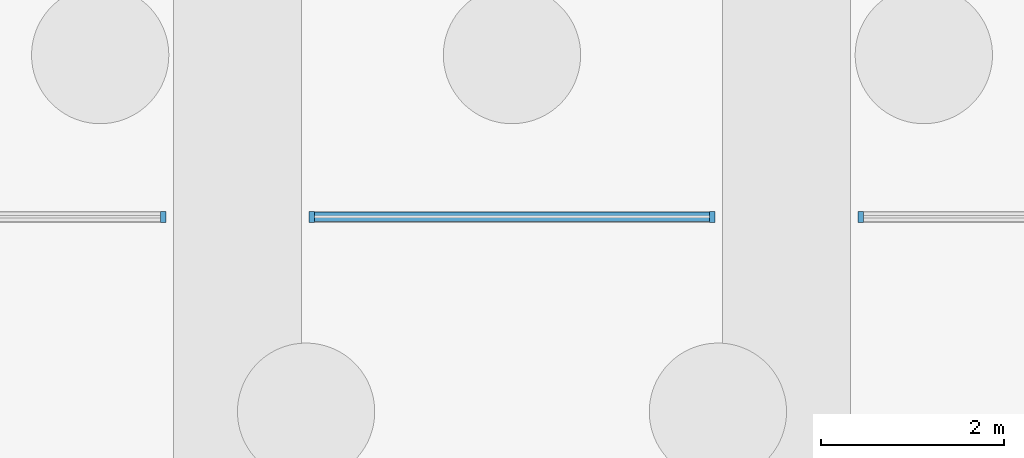
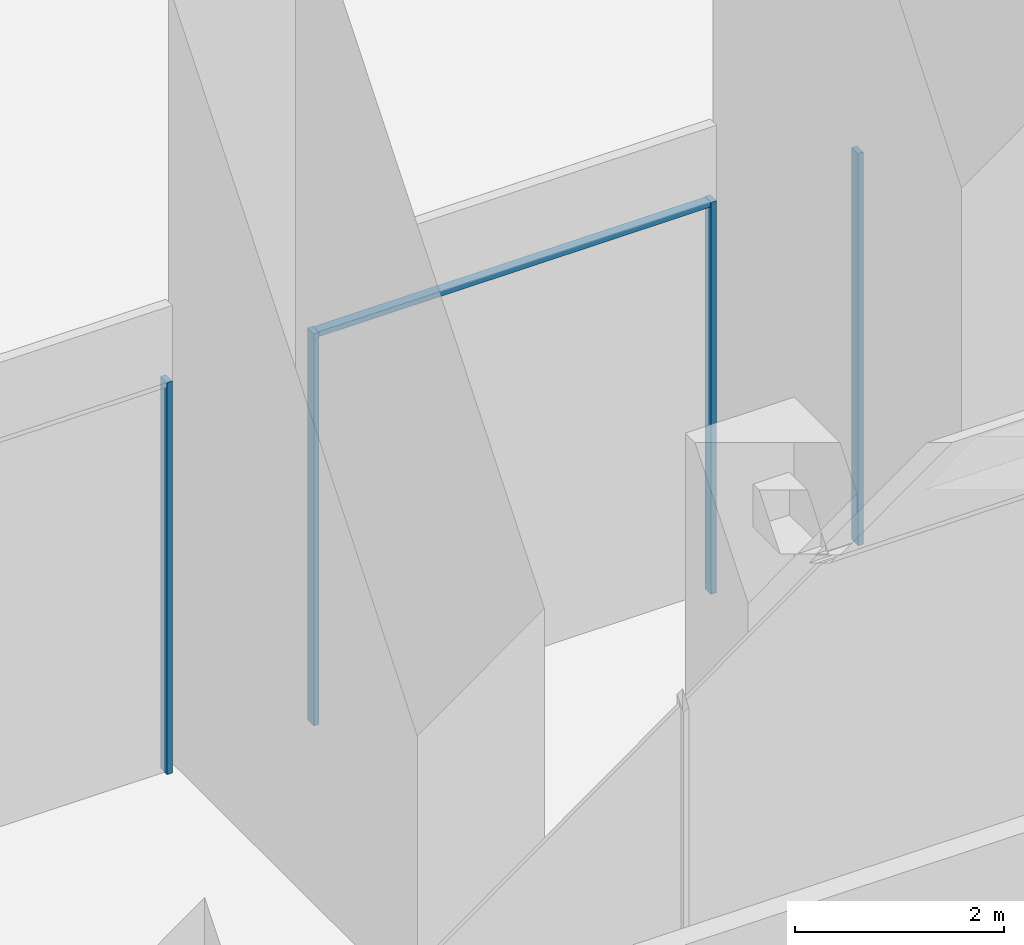
# One storey, part 7 of 46: 5 members, 3 elements without a shape of their own.
"""IFC4 building model written with IfcOpenShell, lengths in metres."""

from ifc_helpers import new_model, si_unit, direction, frame, origin, origin_2d, place, context, subcontext, project, spatial, rectangle, extrude, material, material_profile, profile_set, type_object, element, aggregate, save


model = new_model("IFC4")

# Units and contexts
model_context = context("Model", 3, precision=1e-05, world=origin(), true_north=direction((0.0, 1.0)))
body_context = subcontext(model_context, "Body", "Model", "MODEL_VIEW")
ifc_project = project(units=[si_unit("LENGTHUNIT", "METRE"), si_unit("AREAUNIT", "SQUARE_METRE"), si_unit("VOLUMEUNIT", "CUBIC_METRE"), si_unit("PLANEANGLEUNIT", "RADIAN"), si_unit("MASSUNIT", "GRAM", prefix="KILO")], contexts=[model_context])

# Site, building, storey
site_placement = place(None, origin())
site = spatial("IfcSite", under=ifc_project, at=site_placement, CompositionType="ELEMENT")
building_placement = place(site_placement, origin())
building = spatial("IfcBuilding", under=site, at=building_placement, Name="Mangrove Gate Tower", CompositionType="ELEMENT")
storey_placement = place(building_placement, origin())
storey = spatial("IfcBuildingStorey", under=building, at=storey_placement, Name="L00", CompositionType="ELEMENT", Elevation=0.0)

# Curtain wall, member
ifc_material_1 = material(Name="Aluminium and glass curtain wall", Category="aluminium")
curtain_wall_type = type_object("IfcCurtainWallType", Name="Podium shopfront glazing wall", PredefinedType="NOTDEFINED", material=ifc_material_1)
curtain_wall_1_placement = place(storey_placement, origin())
curtain_wall_1 = element("IfcCurtainWall", 1, at=curtain_wall_1_placement, inside=storey, type_object=curtain_wall_type, Name="Podium shopfront glazing N4016s1", PredefinedType="NOTDEFINED")
ifc_material_2 = material(Name="Aluminium alloy 6063-T6", Category="aluminium")
ifc_material_profile_1 = material_profile(ifc_material_2, rectangle(XDim=0.06005859375, YDim=0.1201171875, at=origin_2d()))
ifc_profile_set_1 = profile_set([ifc_material_profile_1], Name="Aluminium alloy 6063-T6")
member_type_1 = type_object("IfcMemberType", Name="Podium shopfront glazing mullion 60x120", PredefinedType="MULLION", material=ifc_profile_set_1)
member_1_placement = place(storey_placement, frame((-14.18994140625, -25.14990234375, 0.0), z_axis=(0.0, 0.0, 1.0), x_axis=(-1.0, 0.0, 0.0)))
member_1 = element("IfcMember", 2, at=member_1_placement, type_object=member_type_1, Name="CWS mullion 3", PredefinedType="MULLION", context=body_context, shape_type="SweptSolid", body=[
    extrude(rectangle(XDim=0.06005859375, YDim=0.1201171875, at=origin_2d()), origin(), (0.0, 0.0, 1.0), 4.570068359375),
])
aggregate(curtain_wall_1, [member_1])

# Curtain wall, members
curtain_wall_2_placement = place(storey_placement, origin())
curtain_wall_2 = element("IfcCurtainWall", 3, at=curtain_wall_2_placement, inside=storey, type_object=curtain_wall_type, Name="Podium shopfront glazing N4017s1", PredefinedType="NOTDEFINED")
member_2_placement = place(storey_placement, frame((-15.81005859375, -25.14990234375, 0.0), z_axis=(0.0, 0.0, 1.0), x_axis=(-1.0, 0.0, 0.0)))
member_2 = element("IfcMember", 4, at=member_2_placement, type_object=member_type_1, Name="CWS mullion 1", PredefinedType="MULLION", context=body_context, shape_type="SweptSolid", body=[
    extrude(rectangle(XDim=0.06005859375, YDim=0.1201171875, at=origin_2d()), origin(), (0.0, 0.0, 1.0), 4.570068359375),
])
member_3_placement = place(storey_placement, frame((-20.18994140625, -25.14990234375, 0.0), z_axis=(0.0, 0.0, 1.0), x_axis=(-1.0, 0.0, 0.0)))
member_3 = element("IfcMember", 5, at=member_3_placement, type_object=member_type_1, Name="CWS mullion 2", PredefinedType="MULLION", context=body_context, shape_type="SweptSolid", body=[
    extrude(rectangle(XDim=0.06005859375, YDim=0.1201171875, at=origin_2d()), origin(), (0.0, 0.0, 1.0), 4.570068359375),
])

# Curtain wall, member
curtain_wall_3_placement = place(storey_placement, origin())
curtain_wall_3 = element("IfcCurtainWall", 6, at=curtain_wall_3_placement, inside=storey, type_object=curtain_wall_type, Name="Podium shopfront glazing N4018s1", PredefinedType="NOTDEFINED")
member_4_placement = place(storey_placement, frame((-21.81005859375, -25.14990234375, 0.0), z_axis=(0.0, 0.0, 1.0), x_axis=(-1.0, 0.0, 0.0)))
member_4 = element("IfcMember", 7, at=member_4_placement, type_object=member_type_1, Name="CWS mullion 1", PredefinedType="MULLION", context=body_context, shape_type="SweptSolid", body=[
    extrude(rectangle(XDim=0.06005859375, YDim=0.1201171875, at=origin_2d()), origin(), (0.0, 0.0, 1.0), 4.570068359375),
])
aggregate(curtain_wall_3, [member_4])

# Member
ifc_material_3 = material(Name="Aluminium alloy 6063-T6", Category="aluminium")
ifc_material_profile_2 = material_profile(ifc_material_3, rectangle(XDim=0.06005859375, YDim=0.10009765625, at=origin_2d()))
ifc_profile_set_2 = profile_set([ifc_material_profile_2], Name="Aluminium alloy 6063-T6")
member_type_2 = type_object("IfcMemberType", Name="Podium shopfront glazing transom 60x100", PredefinedType="USERDEFINED", material=ifc_profile_set_2)
member_5_placement = place(storey_placement, frame((-15.840087890625, -25.14990234375, 4.5400390625), z_axis=(-1.0, 0.0, 0.0), x_axis=(0.0, 0.0, 1.0)))
member_5 = element("IfcMember", 8, at=member_5_placement, type_object=member_type_2, Name="CWS transom 1.2", ObjectType="TRANSOM", PredefinedType="USERDEFINED", context=body_context, shape_type="SweptSolid", body=[
    extrude(rectangle(XDim=0.06005859375, YDim=0.10009765625, at=origin_2d()), origin(), (0.0, 0.0, 1.0), 4.31982421875),
])

aggregate(curtain_wall_2, [member_2, member_3, member_5])

save(model, "model.ifc")
